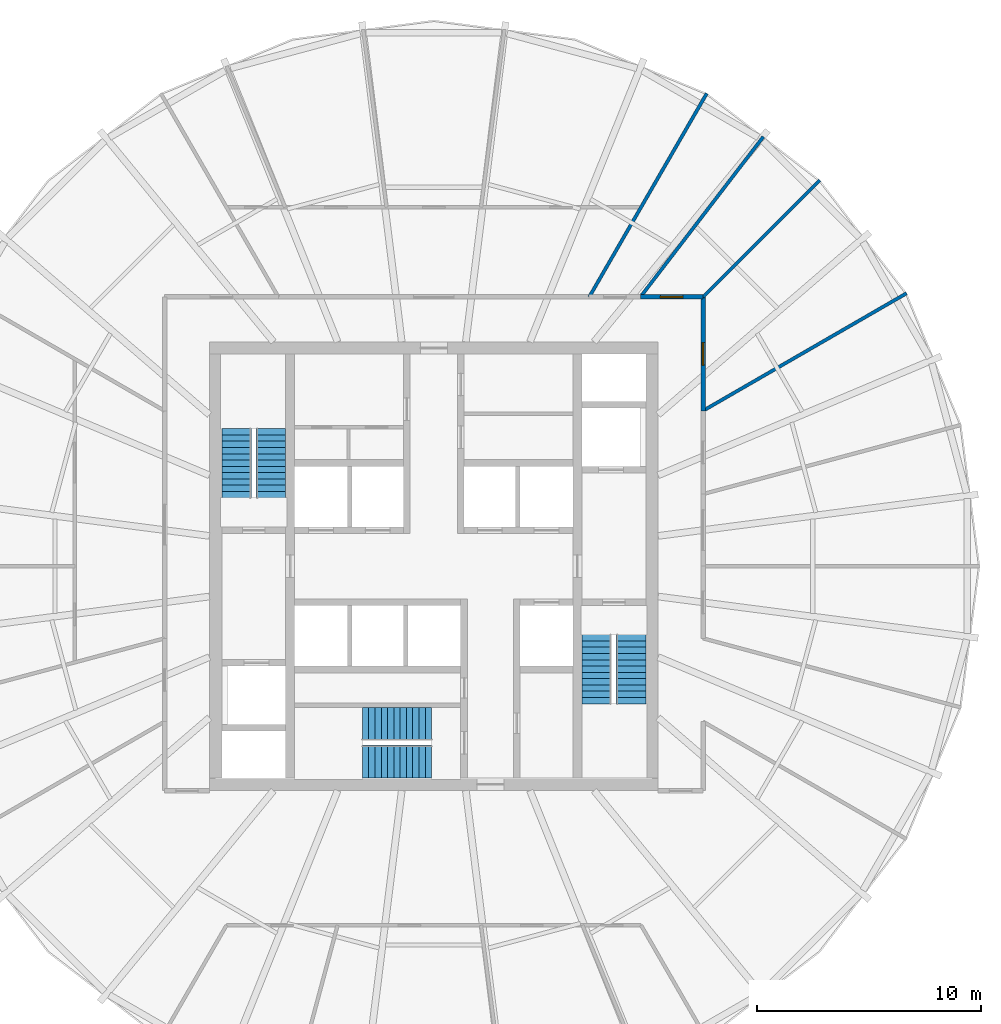
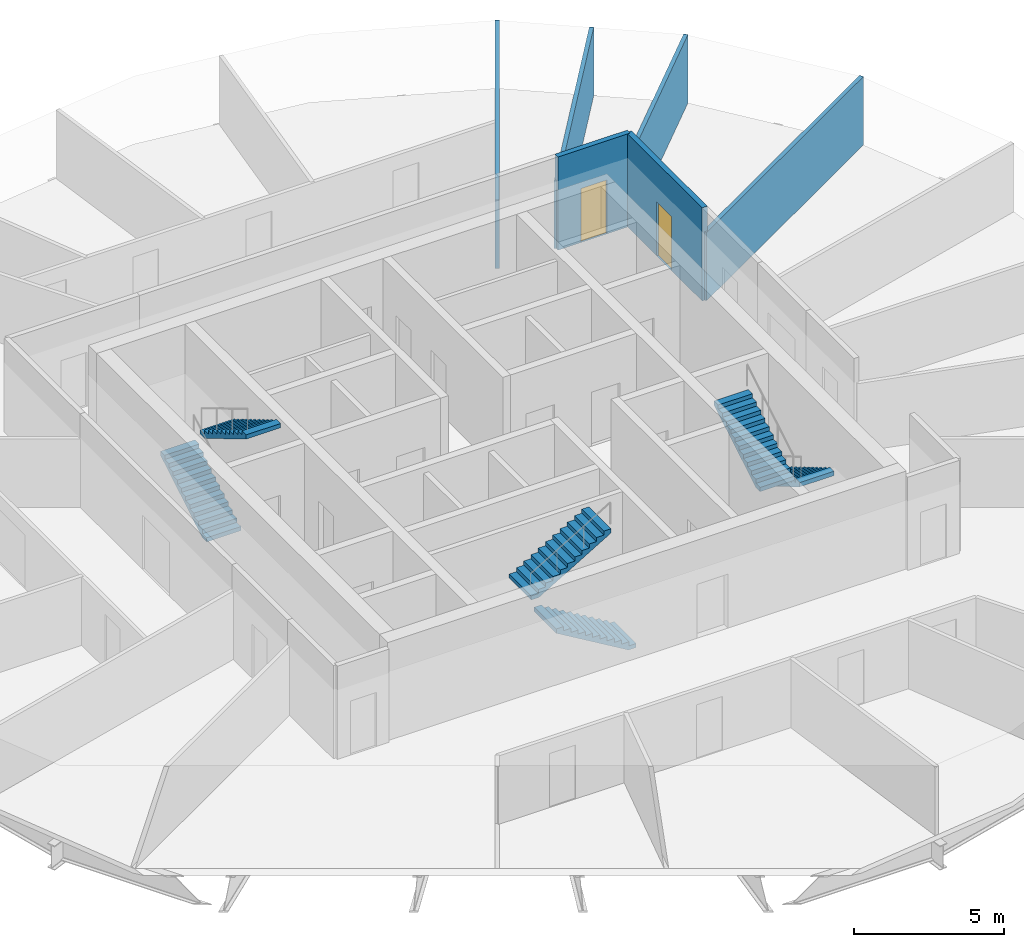
# One storey, part 5 of 6: 6 stair flights, 6 walls, 2 doors, 2 openings, 3 elements without a shape of their own.
"""IFC4 building model written with IfcOpenShell, lengths in metres."""

from ifc_helpers import new_model, si_unit, direction, frame, frame_2d, origin, place, context, subcontext, project, spatial, polyline, rectangle, outline, extrude, material, layer, layer_set, type_object, element, fill, aggregate, save


model = new_model("IFC4")

# Units and contexts
model_context = context("Model", 3, precision=1e-05, world=origin(), true_north=direction((0.0, 1.0)))
body_context = subcontext(model_context, "Body", "Model", "MODEL_VIEW")
ifc_project = project(units=[si_unit("LENGTHUNIT", "METRE"), si_unit("AREAUNIT", "SQUARE_METRE"), si_unit("VOLUMEUNIT", "CUBIC_METRE"), si_unit("PLANEANGLEUNIT", "RADIAN"), si_unit("MASSUNIT", "GRAM", prefix="KILO")], contexts=[model_context])

# Site, building, storey
site_placement = place(None, origin())
site = spatial("IfcSite", under=ifc_project, at=site_placement, CompositionType="ELEMENT")
building_placement = place(site_placement, origin())
building = spatial("IfcBuilding", under=site, at=building_placement, Name="Golbaran Civic Tower", CompositionType="ELEMENT")
storey_placement = place(building_placement, frame((0.0, 0.0, 142.0)))
storey = spatial("IfcBuildingStorey", under=building, at=storey_placement, Name="L34", CompositionType="ELEMENT", Elevation=142.0)

# Wall, opening, door
ifc_material_1 = material(Name="Gypsum board on steel studs, fire-rated", Category="steel")
ifc_layer_1 = layer(ifc_material_1, 0.199951171875, Name="Gypsum board on steel studs, fire-rated")
ifc_layer_set_1 = layer_set([ifc_layer_1], Name="Gypsum board on steel studs, fire-rated")
wall_type_1 = type_object("IfcWallType", Name="CORRIDOR WALL 200", PredefinedType="PARTITIONING", material=ifc_layer_set_1)
wall_1_placement = place(storey_placement, frame((12.0, 6.92822265625, 0.0), z_axis=(0.0, 0.0, 1.0), x_axis=(0.0, 1.0, 0.0)))
wall_1 = element("IfcWall", 1, at=wall_1_placement, inside=storey, type_object=wall_type_1, Name="Corridor wall L34", PredefinedType="PARTITIONING", context=body_context, shape_type="SweptSolid", body=[
    extrude(rectangle(XDim=5.07177734375, YDim=0.199951171875, at=frame_2d((2.535888671875, 0.0))), origin(), (0.0, 0.0, 1.0), 3.800048828125),
])
opening_1_placement = place(wall_1_placement, frame((2.035888671875, 0.0, 0.0)))
opening_1 = element("IfcOpeningElement", 2, at=opening_1_placement, cuts=wall_1, Name="Opening L34.14", PredefinedType="OPENING", context=body_context, shape_type="SweptSolid", body=[
    extrude(rectangle(XDim=1.0, YDim=2.199951171875, at=frame_2d((0.5, 1.10009765625))), frame((0.0, 0.10986328125, 0.0), z_axis=(0.0, -1.0, 0.0), x_axis=(1.0, 0.0, 0.0)), (0.0, 0.0, 1.0), 0.219970703125),
])
ifc_material_2 = material(Name="Timber door set in steel frame", Category="steel")
door_type = type_object("IfcDoorType", Name="OFFICE DOOR 1000x2200", OperationType="SINGLE_SWING_LEFT", PredefinedType="DOOR", material=ifc_material_2)
door_1_placement = place(opening_1_placement, origin())
door_1 = element("IfcDoor", 3, at=door_1_placement, inside=storey, type_object=door_type, Name="Pantry door L34", OperationType="SINGLE_SWING_LEFT", OverallHeight=2.199951171875, OverallWidth=1.0, PredefinedType="DOOR", context=body_context, shape_type="SweptSolid", body=[
    extrude(rectangle(XDim=1.0, YDim=2.199951171875, at=frame_2d((0.5, 1.10009765625))), frame((0.0, 0.02490234375, 0.0), z_axis=(0.0, -1.0, 0.0), x_axis=(1.0, 0.0, 0.0)), (0.0, 0.0, 1.0), 0.050048828125),
])
fill(opening_1, door_1)

wall_2_placement = place(storey_placement, frame((12.0, 12.0, 0.0), z_axis=(0.0, 0.0, 1.0), x_axis=(-1.0, 0.0, 0.0)))
wall_2 = element("IfcWall", 4, at=wall_2_placement, inside=storey, type_object=wall_type_1, Name="Corridor wall L34", PredefinedType="PARTITIONING", context=body_context, shape_type="SweptSolid", body=[
    extrude(rectangle(XDim=2.7919921875, YDim=0.199951171875, at=frame_2d((1.39599609375, 0.0))), origin(), (0.0, 0.0, 1.0), 3.800048828125),
])
opening_2_placement = place(wall_2_placement, frame((0.89599609375, 0.0, 0.0)))
opening_2 = element("IfcOpeningElement", 5, at=opening_2_placement, cuts=wall_2, Name="Opening L34.15", PredefinedType="OPENING", context=body_context, shape_type="SweptSolid", body=[
    extrude(rectangle(XDim=1.0, YDim=2.199951171875, at=frame_2d((0.5, 1.10009765625))), frame((0.0, 0.10986328125, 0.0), z_axis=(0.0, -1.0, 0.0), x_axis=(1.0, 0.0, 0.0)), (0.0, 0.0, 1.0), 0.219970703125),
])
door_2_placement = place(opening_2_placement, origin())
door_2 = element("IfcDoor", 6, at=door_2_placement, inside=storey, type_object=door_type, Name="Prayer Room door L34", OperationType="SINGLE_SWING_RIGHT", OverallHeight=2.199951171875, OverallWidth=1.0, PredefinedType="DOOR", context=body_context, shape_type="SweptSolid", body=[
    extrude(rectangle(XDim=1.0, YDim=2.199951171875, at=frame_2d((0.5, 1.10009765625))), frame((0.0, 0.02490234375, 0.0), z_axis=(0.0, -1.0, 0.0), x_axis=(1.0, 0.0, 0.0)), (0.0, 0.0, 1.0), 0.050048828125),
])
fill(opening_2, door_2)

# Walls
ifc_material_3 = material(Name="Gypsum board on steel studs", Category="steel")
ifc_layer_2 = layer(ifc_material_3, 0.14990234375, Name="Gypsum board on steel studs")
ifc_layer_set_2 = layer_set([ifc_layer_2], Name="Gypsum board on steel studs")
wall_type_2 = type_object("IfcWallType", Name="OFFICE PARTITION 150", PredefinedType="PARTITIONING", material=ifc_layer_set_2)
wall_3_placement = place(storey_placement, frame((12.0, 6.92822265625, 0.0), z_axis=(0.0, 0.0, 1.0), x_axis=(0.866029212144, 0.49999340367, 0.0)))
element("IfcWall", 7, at=wall_3_placement, inside=storey, type_object=wall_type_2, Name="Partition 30 L34", PredefinedType="PARTITIONING", context=body_context, shape_type="SweptSolid", body=[
    extrude(rectangle(XDim=10.477783203125, YDim=0.14990234375, at=frame_2d((5.23876953125, 0.0))), origin(), (0.0, 0.0, 1.0), 2.7900390625),
])
wall_4_placement = place(storey_placement, frame((12.0, 12.0, 0.0), z_axis=(0.0, 0.0, 1.0), x_axis=(0.707106781187, 0.707106781187, 0.0)))
element("IfcWall", 8, at=wall_4_placement, inside=storey, type_object=wall_type_2, Name="Partition 45 L34", PredefinedType="PARTITIONING", context=body_context, shape_type="SweptSolid", body=[
    extrude(rectangle(XDim=7.363525390625, YDim=0.14990234375, at=frame_2d((3.681640625, 0.0))), origin(), (0.0, 0.0, 1.0), 2.7900390625),
])
wall_5_placement = place(storey_placement, frame((9.2080078125, 12.0, 0.0), z_axis=(0.0, 0.0, 1.0), x_axis=(0.608761217002, 0.79335350297, 0.0)))
element("IfcWall", 9, at=wall_5_placement, inside=storey, type_object=wall_type_2, Name="Partition 52.5 L34", PredefinedType="PARTITIONING", context=body_context, shape_type="SweptSolid", body=[
    extrude(rectangle(XDim=9.000244140625, YDim=0.14990234375, at=frame_2d((4.5, 0.0))), origin(), (0.0, 0.0, 1.0), 2.7900390625),
])
wall_6_placement = place(storey_placement, frame((6.92822265625, 12.0, 0.0), z_axis=(0.0, 0.0, 1.0), x_axis=(0.49999340367, 0.866029212144, 0.0)))
element("IfcWall", 10, at=wall_6_placement, inside=storey, type_object=wall_type_2, Name="Partition 60 L34", PredefinedType="PARTITIONING", context=body_context, shape_type="SweptSolid", body=[
    extrude(rectangle(XDim=10.477783203125, YDim=0.14990234375, at=frame_2d((5.23876953125, 0.0))), origin(), (0.0, 0.0, 1.0), 2.7900390625),
])

# Stair, stair flights
ifc_material_4 = material(Name="Concrete C35/45", Category="concrete")
stair_type_1 = type_object("IfcStairType", Name="EXIT STAIR 2850 x 7700, 4000 RISE", PredefinedType="HALF_TURN_STAIR", material=ifc_material_4)
stair_1_placement = place(storey_placement, origin())
stair_1 = element("IfcStair", 11, at=stair_1_placement, inside=storey, type_object=stair_type_1, Name="Stair S1 L34", PredefinedType="HALF_TURN_STAIR")
stair_flight_type_1 = type_object("IfcStairFlightType", Name="STAIR FLIGHT 1325 WIDE", PredefinedType="STRAIGHT", material=ifc_material_4)
stair_flight_1_placement = place(storey_placement, frame((-8.78759765625, 3.050048828125, 0.0), z_axis=(0.0, 0.0, 1.0), x_axis=(0.0, 1.0, 0.0)))
stair_flight_1 = element("IfcStairFlight", 12, at=stair_flight_1_placement, type_object=stair_flight_type_1, Name="ST28577-40 flight 1", NumberOfRisers=12, NumberOfTreads=11, PredefinedType="STRAIGHT", RiserHeight=0.166666667, TreadLength=0.28, context=body_context, shape_type="SweptSolid", body=[
    extrude(outline(polyline([(0.0, 0.0), (0.0, 0.166748046875), (0.280029296875, 0.166748046875), (0.280029296875, 0.333251953125), (0.56005859375, 0.333251953125), (0.56005859375, 0.5), (0.840087890625, 0.5), (0.840087890625, 0.666748046875), (1.1201171875, 0.666748046875), (1.1201171875, 0.833251953125), (1.39990234375, 0.833251953125), (1.39990234375, 1.0), (1.679931640625, 1.0), (1.679931640625, 1.166748046875), (1.9599609375, 1.166748046875), (1.9599609375, 1.333251953125), (2.239990234375, 1.333251953125), (2.239990234375, 1.5), (2.52001953125, 1.5), (2.52001953125, 1.666748046875), (2.800048828125, 1.666748046875), (2.800048828125, 1.833251953125), (3.080078125, 1.833251953125), (3.080078125, 2.0), (3.080078125, 1.658935546875), (0.29296875, 0.0), (0.0, 0.0)])), frame((0.0, 0.66259765625, 0.0), z_axis=(0.0, -1.0, 0.0), x_axis=(1.0, 0.0, 0.0)), (0.0, 0.0, 1.0), 1.324951171875),
])
stair_flight_2_placement = place(storey_placement, frame((-7.262451171875, 6.1298828125, 2.0), z_axis=(0.0, 0.0, 1.0), x_axis=(0.0, -1.0, 0.0)))
stair_flight_2 = element("IfcStairFlight", 13, at=stair_flight_2_placement, type_object=stair_flight_type_1, Name="ST28577-40 flight 2", NumberOfRisers=12, NumberOfTreads=11, PredefinedType="STRAIGHT", RiserHeight=0.166666667, TreadLength=0.28, context=body_context, shape_type="SweptSolid", body=[
    extrude(outline(polyline([(0.0, 0.0), (0.0, 0.166748046875), (0.280029296875, 0.166748046875), (0.280029296875, 0.333251953125), (0.56005859375, 0.333251953125), (0.56005859375, 0.5), (0.840087890625, 0.5), (0.840087890625, 0.666748046875), (1.1201171875, 0.666748046875), (1.1201171875, 0.833251953125), (1.39990234375, 0.833251953125), (1.39990234375, 1.0), (1.679931640625, 1.0), (1.679931640625, 1.166748046875), (1.9599609375, 1.166748046875), (1.9599609375, 1.333251953125), (2.239990234375, 1.333251953125), (2.239990234375, 1.5), (2.52001953125, 1.5), (2.52001953125, 1.666748046875), (2.800048828125, 1.666748046875), (2.800048828125, 1.833251953125), (3.080078125, 1.833251953125), (3.080078125, 2.0), (3.080078125, 1.658935546875), (0.29296875, 0.0), (0.0, 0.0)])), frame((0.0, 0.66259765625, 0.0), z_axis=(0.0, -1.0, 0.0), x_axis=(1.0, 0.0, 0.0)), (0.0, 0.0, 1.0), 1.324951171875),
])
aggregate(stair_1, [stair_flight_1, stair_flight_2])

stair_2_placement = place(storey_placement, origin())
stair_2 = element("IfcStair", 14, at=stair_2_placement, inside=storey, type_object=stair_type_1, Name="Stair S2 L34", PredefinedType="HALF_TURN_STAIR")
stair_flight_3_placement = place(storey_placement, frame((8.78759765625, -3.050048828125, 0.0), z_axis=(0.0, 0.0, 1.0), x_axis=(0.0, -1.0, 0.0)))
stair_flight_3 = element("IfcStairFlight", 15, at=stair_flight_3_placement, type_object=stair_flight_type_1, Name="ST28577-40 flight 1", NumberOfRisers=12, NumberOfTreads=11, PredefinedType="STRAIGHT", RiserHeight=0.166666667, TreadLength=0.28, context=body_context, shape_type="SweptSolid", body=[
    extrude(outline(polyline([(0.0, 0.0), (0.0, 0.166748046875), (0.280029296875, 0.166748046875), (0.280029296875, 0.333251953125), (0.56005859375, 0.333251953125), (0.56005859375, 0.5), (0.840087890625, 0.5), (0.840087890625, 0.666748046875), (1.1201171875, 0.666748046875), (1.1201171875, 0.833251953125), (1.39990234375, 0.833251953125), (1.39990234375, 1.0), (1.679931640625, 1.0), (1.679931640625, 1.166748046875), (1.9599609375, 1.166748046875), (1.9599609375, 1.333251953125), (2.239990234375, 1.333251953125), (2.239990234375, 1.5), (2.52001953125, 1.5), (2.52001953125, 1.666748046875), (2.800048828125, 1.666748046875), (2.800048828125, 1.833251953125), (3.080078125, 1.833251953125), (3.080078125, 2.0), (3.080078125, 1.658935546875), (0.29296875, 0.0), (0.0, 0.0)])), frame((0.0, 0.66259765625, 0.0), z_axis=(0.0, -1.0, 0.0), x_axis=(1.0, 0.0, 0.0)), (0.0, 0.0, 1.0), 1.324951171875),
])
stair_flight_4_placement = place(storey_placement, frame((7.262451171875, -6.1298828125, 2.0), z_axis=(0.0, 0.0, 1.0), x_axis=(0.0, 1.0, 0.0)))
stair_flight_4 = element("IfcStairFlight", 16, at=stair_flight_4_placement, type_object=stair_flight_type_1, Name="ST28577-40 flight 2", NumberOfRisers=12, NumberOfTreads=11, PredefinedType="STRAIGHT", RiserHeight=0.166666667, TreadLength=0.28, context=body_context, shape_type="SweptSolid", body=[
    extrude(outline(polyline([(0.0, 0.0), (0.0, 0.166748046875), (0.280029296875, 0.166748046875), (0.280029296875, 0.333251953125), (0.56005859375, 0.333251953125), (0.56005859375, 0.5), (0.840087890625, 0.5), (0.840087890625, 0.666748046875), (1.1201171875, 0.666748046875), (1.1201171875, 0.833251953125), (1.39990234375, 0.833251953125), (1.39990234375, 1.0), (1.679931640625, 1.0), (1.679931640625, 1.166748046875), (1.9599609375, 1.166748046875), (1.9599609375, 1.333251953125), (2.239990234375, 1.333251953125), (2.239990234375, 1.5), (2.52001953125, 1.5), (2.52001953125, 1.666748046875), (2.800048828125, 1.666748046875), (2.800048828125, 1.833251953125), (3.080078125, 1.833251953125), (3.080078125, 2.0), (3.080078125, 1.658935546875), (0.29296875, 0.0), (0.0, 0.0)])), frame((0.0, 0.66259765625, 0.0), z_axis=(0.0, -1.0, 0.0), x_axis=(1.0, 0.0, 0.0)), (0.0, 0.0, 1.0), 1.324951171875),
])
aggregate(stair_2, [stair_flight_3, stair_flight_4])

stair_type_2 = type_object("IfcStairType", Name="EXIT STAIR 3150 x 7400, 4000 RISE", PredefinedType="HALF_TURN_STAIR", material=ifc_material_4)
stair_3_placement = place(storey_placement, origin())
stair_3 = element("IfcStair", 17, at=stair_3_placement, inside=storey, type_object=stair_type_2, Name="Stair S3 L34", PredefinedType="HALF_TURN_STAIR")
stair_flight_type_2 = type_object("IfcStairFlightType", Name="STAIR FLIGHT 1475 WIDE", PredefinedType="STRAIGHT", material=ifc_material_4)
stair_flight_5_placement = place(storey_placement, frame((-0.10009765625, -8.71240234375, 0.0), z_axis=(0.0, 0.0, 1.0), x_axis=(-1.0, 0.0, 0.0)))
stair_flight_5 = element("IfcStairFlight", 18, at=stair_flight_5_placement, type_object=stair_flight_type_2, Name="ST31574-40 flight 1", NumberOfRisers=12, NumberOfTreads=11, PredefinedType="STRAIGHT", RiserHeight=0.166666667, TreadLength=0.28, context=body_context, shape_type="SweptSolid", body=[
    extrude(outline(polyline([(0.0, 0.0), (0.0, 0.166748046875), (0.280029296875, 0.166748046875), (0.280029296875, 0.333251953125), (0.56005859375, 0.333251953125), (0.56005859375, 0.5), (0.840087890625, 0.5), (0.840087890625, 0.666748046875), (1.1201171875, 0.666748046875), (1.1201171875, 0.833251953125), (1.39990234375, 0.833251953125), (1.39990234375, 1.0), (1.679931640625, 1.0), (1.679931640625, 1.166748046875), (1.9599609375, 1.166748046875), (1.9599609375, 1.333251953125), (2.239990234375, 1.333251953125), (2.239990234375, 1.5), (2.52001953125, 1.5), (2.52001953125, 1.666748046875), (2.800048828125, 1.666748046875), (2.800048828125, 1.833251953125), (3.080078125, 1.833251953125), (3.080078125, 2.0), (3.080078125, 1.658935546875), (0.29296875, 0.0), (0.0, 0.0)])), frame((0.0, 0.737548828125, 0.0), z_axis=(0.0, -1.0, 0.0), x_axis=(1.0, 0.0, 0.0)), (0.0, 0.0, 1.0), 1.47509765625),
])
stair_flight_6_placement = place(storey_placement, frame((-3.179931640625, -7.03759765625, 2.0), z_axis=(0.0, 0.0, 1.0), x_axis=(1.0, 0.0, 0.0)))
stair_flight_6 = element("IfcStairFlight", 19, at=stair_flight_6_placement, type_object=stair_flight_type_2, Name="ST31574-40 flight 2", NumberOfRisers=12, NumberOfTreads=11, PredefinedType="STRAIGHT", RiserHeight=0.166666667, TreadLength=0.28, context=body_context, shape_type="SweptSolid", body=[
    extrude(outline(polyline([(0.0, 0.0), (0.0, 0.166748046875), (0.280029296875, 0.166748046875), (0.280029296875, 0.333251953125), (0.56005859375, 0.333251953125), (0.56005859375, 0.5), (0.840087890625, 0.5), (0.840087890625, 0.666748046875), (1.1201171875, 0.666748046875), (1.1201171875, 0.833251953125), (1.39990234375, 0.833251953125), (1.39990234375, 1.0), (1.679931640625, 1.0), (1.679931640625, 1.166748046875), (1.9599609375, 1.166748046875), (1.9599609375, 1.333251953125), (2.239990234375, 1.333251953125), (2.239990234375, 1.5), (2.52001953125, 1.5), (2.52001953125, 1.666748046875), (2.800048828125, 1.666748046875), (2.800048828125, 1.833251953125), (3.080078125, 1.833251953125), (3.080078125, 2.0), (3.080078125, 1.658935546875), (0.29296875, 0.0), (0.0, 0.0)])), frame((0.0, 0.737548828125, 0.0), z_axis=(0.0, -1.0, 0.0), x_axis=(1.0, 0.0, 0.0)), (0.0, 0.0, 1.0), 1.47509765625),
])
aggregate(stair_3, [stair_flight_5, stair_flight_6])

save(model, "model.ifc")
